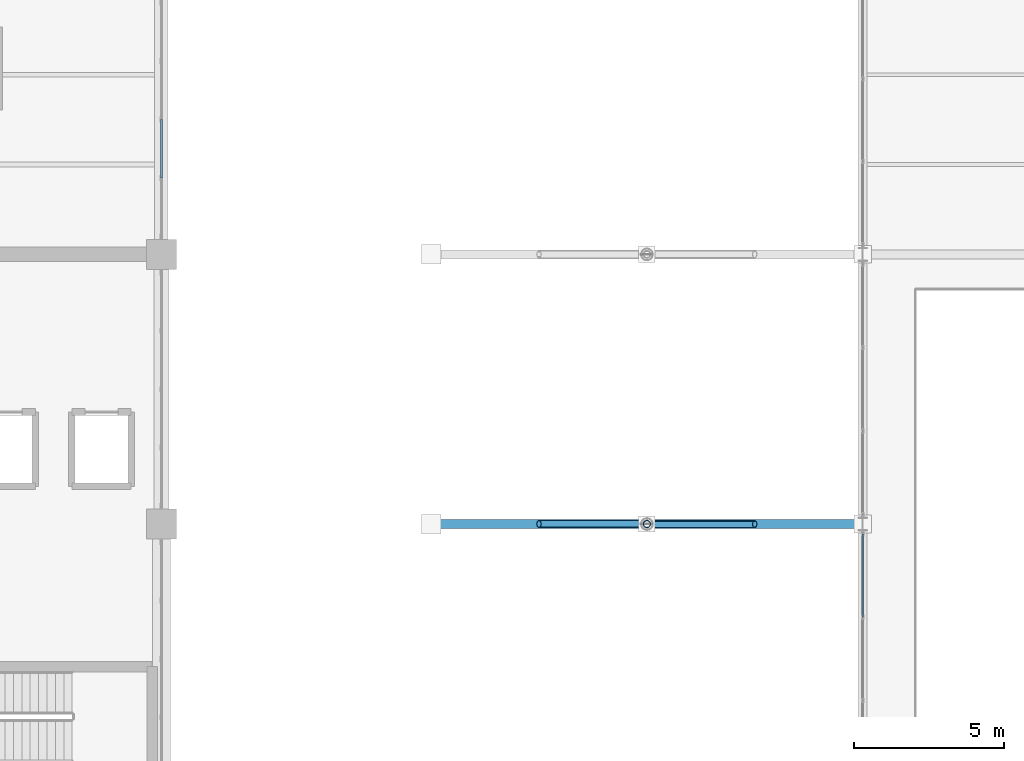
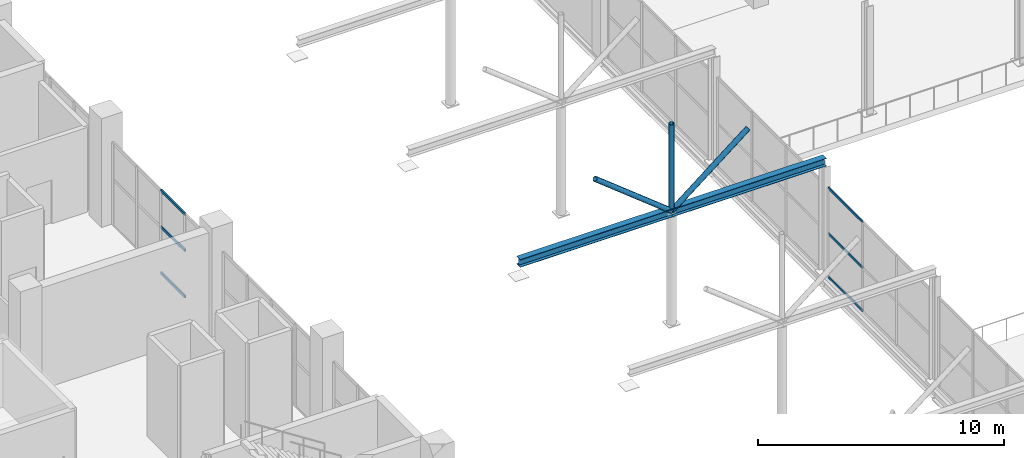
# One storey, part 40 of 147: 9 members, 2 beams, 2 elements without a shape of their own.
"""IFC4 building model written with IfcOpenShell, lengths in metres."""

from ifc_helpers import new_model, si_unit, direction, frame, origin, origin_2d, place, context, subcontext, project, spatial, hollow_rectangle, hollow_circle, i_section, extrude, material, layer, layer_set, material_profile, profile_set, type_object, element, aggregate, save


model = new_model("IFC4")

# Units and contexts
model_context = context("Model", 3, precision=1e-05, world=origin(), true_north=direction((0.0, 1.0)))
body_context = subcontext(model_context, "Body", "Model", "MODEL_VIEW")
ifc_project = project(units=[si_unit("LENGTHUNIT", "METRE"), si_unit("AREAUNIT", "SQUARE_METRE"), si_unit("VOLUMEUNIT", "CUBIC_METRE"), si_unit("PLANEANGLEUNIT", "RADIAN"), si_unit("MASSUNIT", "GRAM", prefix="KILO")], contexts=[model_context])

# Site, building, storey
site_placement = place(None, origin())
site = spatial("IfcSite", under=ifc_project, at=site_placement, CompositionType="ELEMENT")
building_placement = place(site_placement, origin())
building = spatial("IfcBuilding", under=site, at=building_placement, Name="Sundgate Opera House", CompositionType="ELEMENT")
storey_placement = place(building_placement, frame((0.0, 0.0, 6.0)))
storey = spatial("IfcBuildingStorey", under=building, at=storey_placement, Name="L01", CompositionType="ELEMENT", Elevation=6.0)

# Beams
ifc_material_1 = material(Name="Steel S355J2", Category="steel")
ifc_material_profile_1 = material_profile(ifc_material_1, i_section(OverallWidth=0.300048828125, OverallDepth=0.389892578125, WebThickness=0.010986328125, FlangeThickness=0.01904296875, at=origin_2d()), Name="HEA 400")
ifc_profile_set_1 = profile_set([ifc_material_profile_1], Name="Steel S355J2")
beam_type = type_object("IfcBeamType", Name="BM-GR-HEA400", PredefinedType="BEAM", material=ifc_profile_set_1)
for number, where, z_axis, x_axis, name in (
    (1, (81.0, 51.0, 5.5849609375), (1.0, 0.0, 0.0), (0.0, 1.0, 0.0), "L01 Passage Arch Tie Beam B3403"),
    (2, (88.199951171875, 51.0, 5.5849609375), (1.0, 0.0, 0.0), (0.0, 1.0, 0.0), "L01 Passage Arch Tie Beam B3404"),
):
    element("IfcBeam", number, at=place(storey_placement, frame(where, z_axis=z_axis, x_axis=x_axis)), inside=storey, type_object=beam_type, Name=name, PredefinedType="BEAM", context=body_context, shape_type="SweptSolid", body=[
        extrude(i_section(OverallWidth=0.300048828125, OverallDepth=0.389892578125, WebThickness=0.010986328125, FlangeThickness=0.01904296875, at=origin_2d()), origin(), (0.0, 0.0, 1.0), 7.199951171875),
    ])

# Curtain wall, members
ifc_material_2 = material(Name="Anodized aluminium and low-iron glass", Category="aluminium")
ifc_layer_1 = layer(ifc_material_2, 0.159912109375)
ifc_layer_set_1 = layer_set([ifc_layer_1], Name="Anodized aluminium and low-iron glass")
curtain_wall_type_1 = type_object("IfcCurtainWallType", Name="CW-STUDIO-DARK", PredefinedType="NOTDEFINED", material=ifc_layer_set_1)
curtain_wall_1_placement = place(storey_placement, origin())
curtain_wall_1 = element("IfcCurtainWall", 3, at=curtain_wall_1_placement, inside=storey, type_object=curtain_wall_type_1, Name="L01 Curtain Wall CW046", PredefinedType="NOTDEFINED")
ifc_material_3 = material(Name="Anodized aluminium EN AW-6063", Category="aluminium")
ifc_material_profile_2 = material_profile(ifc_material_3, hollow_rectangle(XDim=0.054931640625, YDim=0.1201171875, WallThickness=0.00390625, at=origin_2d()), Name="CWT 120x55x4")
ifc_profile_set_2 = profile_set([ifc_material_profile_2], Name="Anodized aluminium EN AW-6063")
member_type_1 = type_object("IfcMemberType", Name="CWT-ALU-120x55", PredefinedType="USERDEFINED", material=ifc_profile_set_2)
member_1_placement = place(storey_placement, frame((95.39990234375, 50.675048828125, 0.0), z_axis=(0.0, -1.0, 0.0), x_axis=(1.0, 0.0, 0.0)))
member_1 = element("IfcMember", 4, at=member_1_placement, type_object=member_type_1, Name="CW046 Transom 1", ObjectType="TRANSOM", PredefinedType="USERDEFINED", context=body_context, shape_type="SweptSolid", body=[
    extrude(hollow_rectangle(XDim=0.054931640625, YDim=0.1201171875, WallThickness=0.00390625, at=origin_2d()), origin(), (0.0, 0.0, 1.0), 2.783447265625),
])
member_2_placement = place(storey_placement, frame((95.39990234375, 50.675048828125, 2.14990234375), z_axis=(0.0, -1.0, 0.0), x_axis=(1.0, 0.0, 0.0)))
member_2 = element("IfcMember", 5, at=member_2_placement, type_object=member_type_1, Name="CW046 Transom 2", ObjectType="TRANSOM", PredefinedType="USERDEFINED", context=body_context, shape_type="SweptSolid", body=[
    extrude(hollow_rectangle(XDim=0.054931640625, YDim=0.1201171875, WallThickness=0.00390625, at=origin_2d()), origin(), (0.0, 0.0, 1.0), 2.783447265625),
])
member_3_placement = place(storey_placement, frame((95.39990234375, 50.675048828125, 4.4150390625), z_axis=(0.0, -1.0, 0.0), x_axis=(1.0, 0.0, 0.0)))
member_3 = element("IfcMember", 6, at=member_3_placement, type_object=member_type_1, Name="CW046 Transom 3", ObjectType="TRANSOM", PredefinedType="USERDEFINED", context=body_context, shape_type="SweptSolid", body=[
    extrude(hollow_rectangle(XDim=0.054931640625, YDim=0.1201171875, WallThickness=0.00390625, at=origin_2d()), origin(), (0.0, 0.0, 1.0), 2.783447265625),
])
aggregate(curtain_wall_1, [member_1, member_2, member_3])

ifc_material_4 = material(Name="Anodized aluminium and low-iron glass", Category="aluminium")
ifc_layer_2 = layer(ifc_material_4, 0.179931640625)
ifc_layer_set_2 = layer_set([ifc_layer_2], Name="Anodized aluminium and low-iron glass")
curtain_wall_type_2 = type_object("IfcCurtainWallType", Name="CW-FOYER-GLASS", PredefinedType="NOTDEFINED", material=ifc_layer_set_2)
curtain_wall_2_placement = place(storey_placement, origin())
curtain_wall_2 = element("IfcCurtainWall", 7, at=curtain_wall_2_placement, inside=storey, type_object=curtain_wall_type_2, Name="L01 Curtain Wall CW025", PredefinedType="NOTDEFINED")
ifc_material_5 = material(Name="Anodized aluminium EN AW-6063", Category="aluminium")
ifc_material_profile_3 = material_profile(ifc_material_5, hollow_rectangle(XDim=0.06005859375, YDim=0.139892578125, WallThickness=0.00390625, at=origin_2d()), Name="CWT 140x60x4")
ifc_profile_set_3 = profile_set([ifc_material_profile_3], Name="Anodized aluminium EN AW-6063")
member_type_2 = type_object("IfcMemberType", Name="CWT-ALU-140x60", PredefinedType="USERDEFINED", material=ifc_profile_set_3)
member_4_placement = place(storey_placement, frame((72.0, 62.550048828125, 0.0), z_axis=(0.0, 1.0, 0.0), x_axis=(-1.0, 0.0, 0.0)))
member_4 = element("IfcMember", 8, at=member_4_placement, type_object=member_type_2, Name="CW025 Transom 4", ObjectType="TRANSOM", PredefinedType="USERDEFINED", context=body_context, shape_type="SweptSolid", body=[
    extrude(hollow_rectangle(XDim=0.06005859375, YDim=0.139892578125, WallThickness=0.00390625, at=origin_2d()), origin(), (0.0, 0.0, 1.0), 1.949951171875),
])
member_5_placement = place(storey_placement, frame((72.0, 62.550048828125, 2.300048828125), z_axis=(0.0, 1.0, 0.0), x_axis=(-1.0, 0.0, 0.0)))
member_5 = element("IfcMember", 9, at=member_5_placement, type_object=member_type_2, Name="CW025 Transom 5", ObjectType="TRANSOM", PredefinedType="USERDEFINED", context=body_context, shape_type="SweptSolid", body=[
    extrude(hollow_rectangle(XDim=0.06005859375, YDim=0.139892578125, WallThickness=0.00390625, at=origin_2d()), origin(), (0.0, 0.0, 1.0), 1.949951171875),
])
member_6_placement = place(storey_placement, frame((72.0, 62.550048828125, 4.094970703125), z_axis=(0.0, 1.0, 0.0), x_axis=(-1.0, 0.0, 0.0)))
member_6 = element("IfcMember", 10, at=member_6_placement, type_object=member_type_2, Name="CW025 Transom 6", ObjectType="TRANSOM", PredefinedType="USERDEFINED", context=body_context, shape_type="SweptSolid", body=[
    extrude(hollow_rectangle(XDim=0.06005859375, YDim=0.139892578125, WallThickness=0.00390625, at=origin_2d()), origin(), (0.0, 0.0, 1.0), 1.949951171875),
])
aggregate(curtain_wall_2, [member_4, member_5, member_6])

# Members
ifc_material_6 = material(Name="Steel S355J2", Category="steel")
ifc_material_profile_4 = material_profile(ifc_material_6, hollow_circle(Radius=0.122314453125, WallThickness=0.012451171875, at=origin_2d()), Name="CHS 244.5x12.5")
ifc_profile_set_4 = profile_set([ifc_material_profile_4], Name="Steel S355J2")
member_type_3 = type_object("IfcMemberType", Name="MB-STRUT-CHS244", PredefinedType="STRUT", material=ifc_profile_set_4)
member_7_placement = place(storey_placement, frame((88.199951171875, 51.0, 5.594970703125), z_axis=(-0.78350570776, 0.0, 0.621384587762), x_axis=(0.0, -1.0, 0.0)))
element("IfcMember", 11, at=member_7_placement, inside=storey, type_object=member_type_3, Name="Passage Arch Spandrel Strut M0318", PredefinedType="STRUT", context=body_context, shape_type="SweptSolid", body=[
    extrude(hollow_circle(Radius=0.122314453125, WallThickness=0.012451171875, at=origin_2d()), origin(), (0.0, 0.0, 1.0), 4.594482421875),
])
member_8_placement = place(storey_placement, frame((88.199951171875, 51.0, 5.594970703125), z_axis=(0.783526223691, 0.0, 0.621358718285), x_axis=(0.0, 1.0, 0.0)))
element("IfcMember", 12, at=member_8_placement, inside=storey, type_object=member_type_3, Name="Passage Arch Spandrel Strut M0319", PredefinedType="STRUT", context=body_context, shape_type="SweptSolid", body=[
    extrude(hollow_circle(Radius=0.122314453125, WallThickness=0.012451171875, at=origin_2d()), origin(), (0.0, 0.0, 1.0), 4.5947265625),
])
member_9_placement = place(storey_placement, frame((88.199951171875, 51.0, 5.594970703125), z_axis=(0.0, 0.0, 1.0), x_axis=(1.0, 0.0, 0.0)))
element("IfcMember", 13, at=member_9_placement, inside=storey, type_object=member_type_3, Name="Passage Arch Crown Post M0320", PredefinedType="STRUT", context=body_context, shape_type="SweptSolid", body=[
    extrude(hollow_circle(Radius=0.122314453125, WallThickness=0.012451171875, at=origin_2d()), origin(), (0.0, 0.0, 1.0), 4.35498046875),
])

save(model, "model.ifc")
